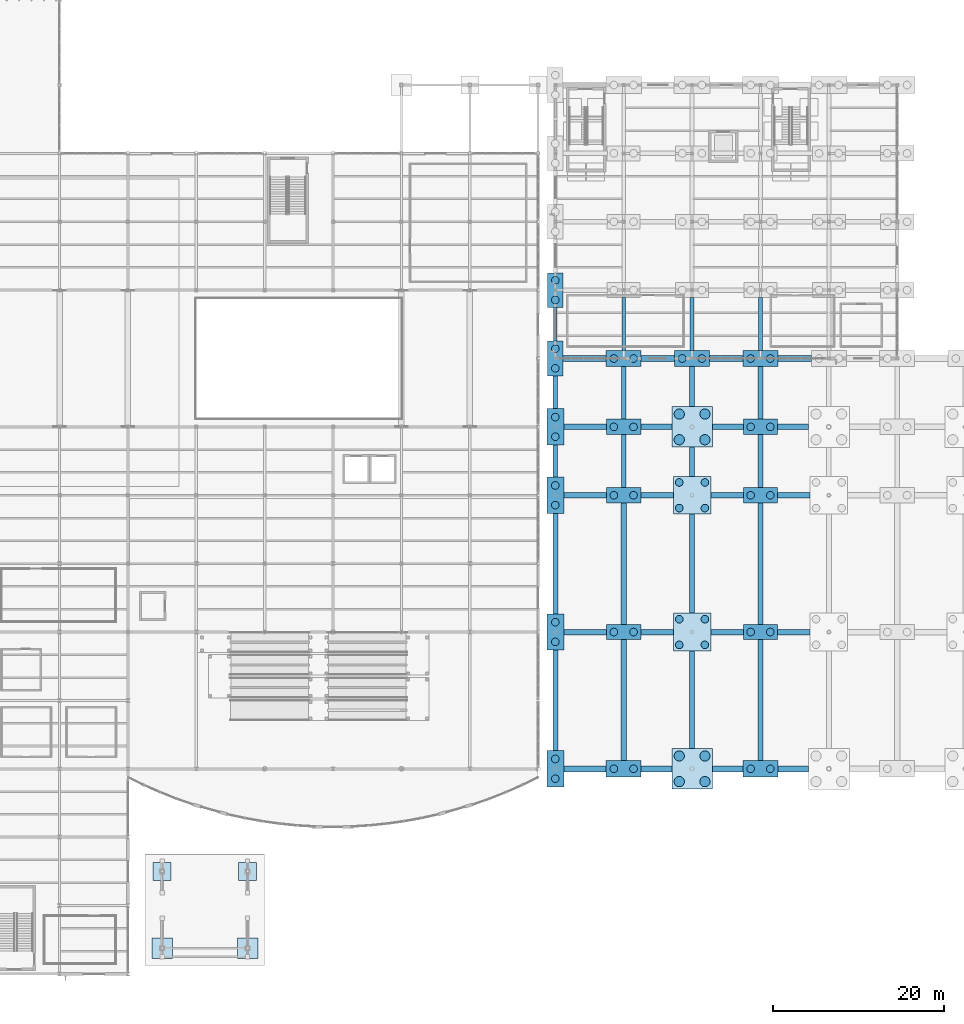
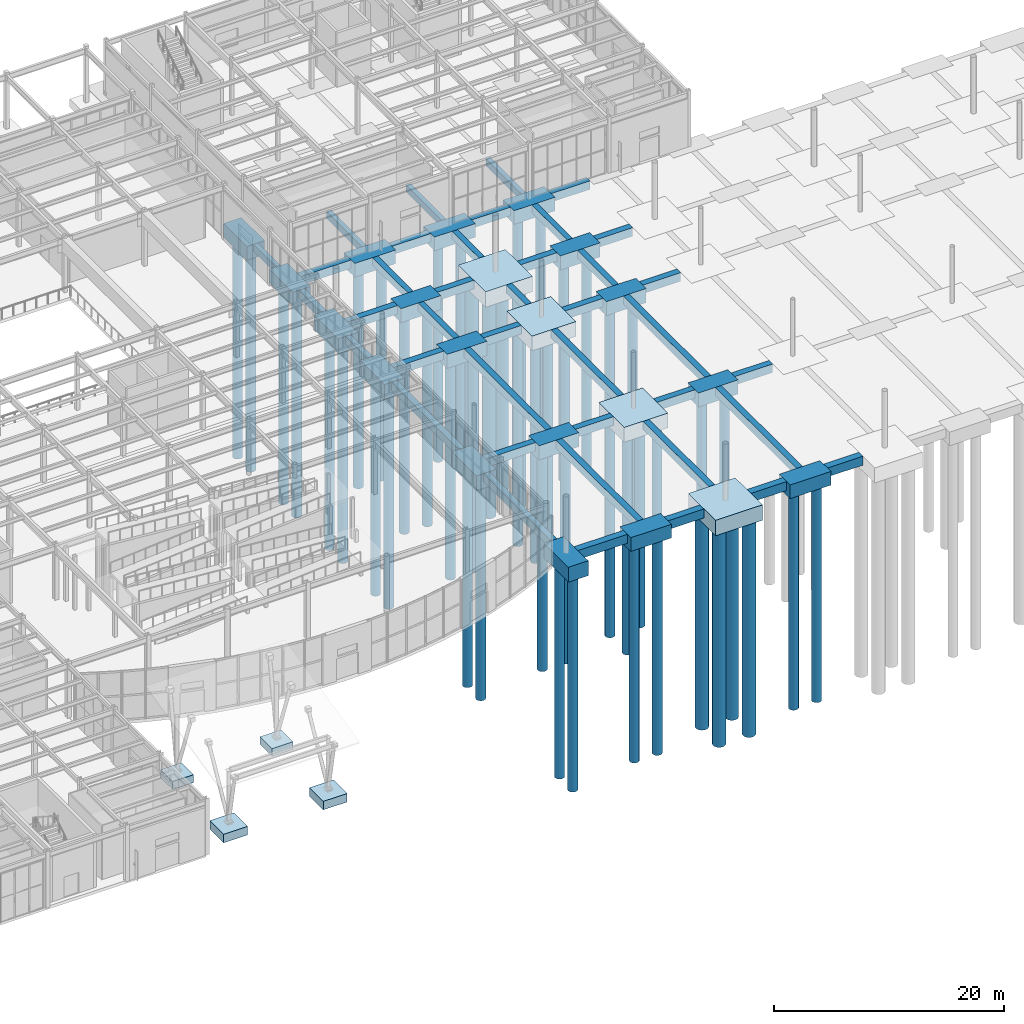
# One storey, part 1 of 82: 65 footings, 50 piles.
"""IFC4 building model written with IfcOpenShell, lengths in metres."""

from ifc_helpers import new_model, si_unit, direction, frame, origin, origin_2d, place, context, subcontext, project, spatial, rectangle, circle, extrude, material, material_profile, profile_set, type_object, element, save


model = new_model("IFC4")

# Units and contexts
model_context = context("Model", 3, precision=1e-05, world=origin(), true_north=direction((0.0, 1.0)))
body_context = subcontext(model_context, "Body", "Model", "MODEL_VIEW")
ifc_project = project(units=[si_unit("LENGTHUNIT", "METRE"), si_unit("AREAUNIT", "SQUARE_METRE"), si_unit("VOLUMEUNIT", "CUBIC_METRE"), si_unit("PLANEANGLEUNIT", "RADIAN"), si_unit("MASSUNIT", "GRAM", prefix="KILO")], contexts=[model_context])

# Site, building, storey
site_placement = place(None, origin())
site = spatial("IfcSite", under=ifc_project, at=site_placement, CompositionType="ELEMENT")
building_placement = place(site_placement, origin())
building = spatial("IfcBuilding", under=site, at=building_placement, Name="Drelvath Fold Interchange", CompositionType="ELEMENT")
storey_placement = place(building_placement, origin())
storey = spatial("IfcBuildingStorey", under=building, at=storey_placement, Name="L00", CompositionType="ELEMENT", Elevation=0.0)

# Piles
ifc_material_1 = material(Name="Concrete f'c 55 MPa (8000 psi)", Category="concrete")
ifc_material_profile_1 = material_profile(ifc_material_1, circle(Radius=0.60009765625, at=origin_2d()), Name="CAISSON D1200")
ifc_profile_set_1 = profile_set([ifc_material_profile_1], Name="Concrete f'c 55 MPa (8000 psi)")
pile_type_1 = type_object("IfcPileType", Name="CA-D1200", PredefinedType="BORED", material=ifc_profile_set_1)
for number, where, z_axis, x_axis, name in (
    (1, (116.5, 25.5, -1.5400390625), (0.0, 0.0, -1.0), (1.0, 0.0, 0.0), "L00 rock-socketed caisson PL-L00-200"),
    (2, (119.5, 25.5, -1.5400390625), (0.0, 0.0, -1.0), (1.0, 0.0, 0.0), "L00 rock-socketed caisson PL-L00-201"),
    (3, (119.5, 28.5, -1.5400390625), (0.0, 0.0, -1.0), (1.0, 0.0, 0.0), "L00 rock-socketed caisson PL-L00-202"),
    (4, (116.5, 28.5, -1.5400390625), (0.0, 0.0, -1.0), (1.0, 0.0, 0.0), "L00 rock-socketed caisson PL-L00-203"),
    (5, (116.5, 65.5, -1.5400390625), (0.0, 0.0, -1.0), (1.0, 0.0, 0.0), "L00 rock-socketed caisson PL-L00-212"),
    (6, (119.5, 65.5, -1.5400390625), (0.0, 0.0, -1.0), (1.0, 0.0, 0.0), "L00 rock-socketed caisson PL-L00-213"),
    (7, (119.5, 68.5, -1.5400390625), (0.0, 0.0, -1.0), (1.0, 0.0, 0.0), "L00 rock-socketed caisson PL-L00-214"),
    (8, (116.5, 68.5, -1.5400390625), (0.0, 0.0, -1.0), (1.0, 0.0, 0.0), "L00 rock-socketed caisson PL-L00-215"),
):
    element("IfcPile", number, at=place(storey_placement, frame(where, z_axis=z_axis, x_axis=x_axis)), inside=storey, type_object=pile_type_1, Name=name, PredefinedType="BORED", context=body_context, shape_type="SweptSolid", body=[
        extrude(circle(Radius=0.60009765625, at=origin_2d()), origin(), (0.0, 0.0, 1.0), 22.9599609375),
    ])
ifc_material_profile_2 = material_profile(ifc_material_1, circle(Radius=0.449951171875, at=origin_2d()), Name="CAISSON D900")
ifc_profile_set_2 = profile_set([ifc_material_profile_2], Name="Concrete f'c 55 MPa (8000 psi)")
pile_type_2 = type_object("IfcPileType", Name="CA-D900", PredefinedType="BORED", material=ifc_profile_set_2)
for number, where, z_axis, x_axis, name in (
    (9, (102.0, 25.85009765625, -1.47998046875), (0.0, 0.0, -1.0), (1.0, 0.0, 0.0), "L00 rock-socketed caisson PL-L00-164"),
    (10, (102.0, 28.14990234375, -1.47998046875), (0.0, 0.0, -1.0), (1.0, 0.0, 0.0), "L00 rock-socketed caisson PL-L00-165"),
    (11, (102.0, 41.85009765625, -1.47998046875), (0.0, 0.0, -1.0), (1.0, 0.0, 0.0), "L00 rock-socketed caisson PL-L00-166"),
    (12, (102.0, 44.14990234375, -1.47998046875), (0.0, 0.0, -1.0), (1.0, 0.0, 0.0), "L00 rock-socketed caisson PL-L00-167"),
    (13, (102.0, 57.85009765625, -1.47998046875), (0.0, 0.0, -1.0), (1.0, 0.0, 0.0), "L00 rock-socketed caisson PL-L00-168"),
    (14, (102.0, 60.14990234375, -1.47998046875), (0.0, 0.0, -1.0), (1.0, 0.0, 0.0), "L00 rock-socketed caisson PL-L00-169"),
    (15, (102.0, 65.85009765625, -1.47998046875), (0.0, 0.0, -1.0), (1.0, 0.0, 0.0), "L00 rock-socketed caisson PL-L00-170"),
    (16, (102.0, 68.14990234375, -1.47998046875), (0.0, 0.0, -1.0), (1.0, 0.0, 0.0), "L00 rock-socketed caisson PL-L00-171"),
):
    element("IfcPile", number, at=place(storey_placement, frame(where, z_axis=z_axis, x_axis=x_axis)), inside=storey, type_object=pile_type_2, Name=name, PredefinedType="BORED", context=body_context, shape_type="SweptSolid", body=[
        extrude(circle(Radius=0.449951171875, at=origin_2d()), origin(), (0.0, 0.0, 1.0), 23.02001953125),
    ])
for number, where, z_axis, x_axis, name in (
    (17, (102.0, 73.85009765625, -1.3798828125), (0.0, 0.0, -1.0), (1.0, 0.0, 0.0), "L00 rock-socketed caisson PL-L00-172"),
    (18, (102.0, 76.14990234375, -1.3798828125), (0.0, 0.0, -1.0), (1.0, 0.0, 0.0), "L00 rock-socketed caisson PL-L00-173"),
    (19, (102.0, 81.85009765625, -1.3798828125), (0.0, 0.0, -1.0), (1.0, 0.0, 0.0), "L00 rock-socketed caisson PL-L00-174"),
    (20, (102.0, 84.14990234375, -1.3798828125), (0.0, 0.0, -1.0), (1.0, 0.0, 0.0), "L00 rock-socketed caisson PL-L00-175"),
):
    element("IfcPile", number, at=place(storey_placement, frame(where, z_axis=z_axis, x_axis=x_axis)), inside=storey, type_object=pile_type_2, Name=name, PredefinedType="BORED", context=body_context, shape_type="SweptSolid", body=[
        extrude(circle(Radius=0.449951171875, at=origin_2d()), origin(), (0.0, 0.0, 1.0), 23.1201171875),
    ])
for number, where, z_axis, x_axis, name in (
    (21, (108.85009765625, 27.0, -1.360107421875), (0.0, 0.0, -1.0), (1.0, 0.0, 0.0), "L00 rock-socketed caisson PL-L00-182"),
    (22, (111.14990234375, 27.0, -1.360107421875), (0.0, 0.0, -1.0), (1.0, 0.0, 0.0), "L00 rock-socketed caisson PL-L00-183"),
):
    element("IfcPile", number, at=place(storey_placement, frame(where, z_axis=z_axis, x_axis=x_axis)), inside=storey, type_object=pile_type_2, Name=name, PredefinedType="BORED", context=body_context, shape_type="SweptSolid", body=[
        extrude(circle(Radius=0.449951171875, at=origin_2d()), origin(), (0.0, 0.0, 1.0), 23.139892578125),
    ])
for number, where, z_axis, x_axis, name in (
    (23, (108.85009765625, 43.0, -1.39990234375), (0.0, 0.0, -1.0), (1.0, 0.0, 0.0), "L00 rock-socketed caisson PL-L00-184"),
    (24, (111.14990234375, 43.0, -1.39990234375), (0.0, 0.0, -1.0), (1.0, 0.0, 0.0), "L00 rock-socketed caisson PL-L00-185"),
    (25, (108.85009765625, 59.0, -1.39990234375), (0.0, 0.0, -1.0), (1.0, 0.0, 0.0), "L00 rock-socketed caisson PL-L00-186"),
    (26, (111.14990234375, 59.0, -1.39990234375), (0.0, 0.0, -1.0), (1.0, 0.0, 0.0), "L00 rock-socketed caisson PL-L00-187"),
    (27, (108.85009765625, 67.0, -1.39990234375), (0.0, 0.0, -1.0), (1.0, 0.0, 0.0), "L00 rock-socketed caisson PL-L00-188"),
    (28, (111.14990234375, 67.0, -1.39990234375), (0.0, 0.0, -1.0), (1.0, 0.0, 0.0), "L00 rock-socketed caisson PL-L00-189"),
):
    element("IfcPile", number, at=place(storey_placement, frame(where, z_axis=z_axis, x_axis=x_axis)), inside=storey, type_object=pile_type_2, Name=name, PredefinedType="BORED", context=body_context, shape_type="SweptSolid", body=[
        extrude(circle(Radius=0.449951171875, at=origin_2d()), origin(), (0.0, 0.0, 1.0), 23.10009765625),
    ])
for number, where, z_axis, x_axis, name in (
    (29, (108.85009765625, 75.0, -1.360107421875), (0.0, 0.0, -1.0), (1.0, 0.0, 0.0), "L00 rock-socketed caisson PL-L00-190"),
    (30, (111.14990234375, 75.0, -1.360107421875), (0.0, 0.0, -1.0), (1.0, 0.0, 0.0), "L00 rock-socketed caisson PL-L00-191"),
):
    element("IfcPile", number, at=place(storey_placement, frame(where, z_axis=z_axis, x_axis=x_axis)), inside=storey, type_object=pile_type_2, Name=name, PredefinedType="BORED", context=body_context, shape_type="SweptSolid", body=[
        extrude(circle(Radius=0.449951171875, at=origin_2d()), origin(), (0.0, 0.0, 1.0), 23.139892578125),
    ])
for number, where, z_axis, x_axis, name in (
    (31, (116.5, 41.5, -1.4599609375), (0.0, 0.0, -1.0), (1.0, 0.0, 0.0), "L00 rock-socketed caisson PL-L00-204"),
    (32, (119.5, 41.5, -1.4599609375), (0.0, 0.0, -1.0), (1.0, 0.0, 0.0), "L00 rock-socketed caisson PL-L00-205"),
    (33, (119.5, 44.5, -1.4599609375), (0.0, 0.0, -1.0), (1.0, 0.0, 0.0), "L00 rock-socketed caisson PL-L00-206"),
    (34, (116.5, 44.5, -1.4599609375), (0.0, 0.0, -1.0), (1.0, 0.0, 0.0), "L00 rock-socketed caisson PL-L00-207"),
    (35, (116.5, 57.5, -1.4599609375), (0.0, 0.0, -1.0), (1.0, 0.0, 0.0), "L00 rock-socketed caisson PL-L00-208"),
    (36, (119.5, 57.5, -1.4599609375), (0.0, 0.0, -1.0), (1.0, 0.0, 0.0), "L00 rock-socketed caisson PL-L00-209"),
    (37, (119.5, 60.5, -1.4599609375), (0.0, 0.0, -1.0), (1.0, 0.0, 0.0), "L00 rock-socketed caisson PL-L00-210"),
    (38, (116.5, 60.5, -1.4599609375), (0.0, 0.0, -1.0), (1.0, 0.0, 0.0), "L00 rock-socketed caisson PL-L00-211"),
):
    element("IfcPile", number, at=place(storey_placement, frame(where, z_axis=z_axis, x_axis=x_axis)), inside=storey, type_object=pile_type_2, Name=name, PredefinedType="BORED", context=body_context, shape_type="SweptSolid", body=[
        extrude(circle(Radius=0.449951171875, at=origin_2d()), origin(), (0.0, 0.0, 1.0), 23.0400390625),
    ])
for number, where, z_axis, x_axis, name in (
    (39, (116.85009765625, 75.0, -1.360107421875), (0.0, 0.0, -1.0), (1.0, 0.0, 0.0), "L00 rock-socketed caisson PL-L00-216"),
    (40, (119.14990234375, 75.0, -1.360107421875), (0.0, 0.0, -1.0), (1.0, 0.0, 0.0), "L00 rock-socketed caisson PL-L00-217"),
    (41, (124.85009765625, 27.0, -1.360107421875), (0.0, 0.0, -1.0), (1.0, 0.0, 0.0), "L00 rock-socketed caisson PL-L00-226"),
    (42, (127.14990234375, 27.0, -1.360107421875), (0.0, 0.0, -1.0), (1.0, 0.0, 0.0), "L00 rock-socketed caisson PL-L00-227"),
):
    element("IfcPile", number, at=place(storey_placement, frame(where, z_axis=z_axis, x_axis=x_axis)), inside=storey, type_object=pile_type_2, Name=name, PredefinedType="BORED", context=body_context, shape_type="SweptSolid", body=[
        extrude(circle(Radius=0.449951171875, at=origin_2d()), origin(), (0.0, 0.0, 1.0), 23.139892578125),
    ])
for number, where, z_axis, x_axis, name in (
    (43, (124.85009765625, 43.0, -1.39990234375), (0.0, 0.0, -1.0), (1.0, 0.0, 0.0), "L00 rock-socketed caisson PL-L00-228"),
    (44, (127.14990234375, 43.0, -1.39990234375), (0.0, 0.0, -1.0), (1.0, 0.0, 0.0), "L00 rock-socketed caisson PL-L00-229"),
    (45, (124.85009765625, 59.0, -1.39990234375), (0.0, 0.0, -1.0), (1.0, 0.0, 0.0), "L00 rock-socketed caisson PL-L00-230"),
    (46, (127.14990234375, 59.0, -1.39990234375), (0.0, 0.0, -1.0), (1.0, 0.0, 0.0), "L00 rock-socketed caisson PL-L00-231"),
    (47, (124.85009765625, 67.0, -1.39990234375), (0.0, 0.0, -1.0), (1.0, 0.0, 0.0), "L00 rock-socketed caisson PL-L00-232"),
    (48, (127.14990234375, 67.0, -1.39990234375), (0.0, 0.0, -1.0), (1.0, 0.0, 0.0), "L00 rock-socketed caisson PL-L00-233"),
):
    element("IfcPile", number, at=place(storey_placement, frame(where, z_axis=z_axis, x_axis=x_axis)), inside=storey, type_object=pile_type_2, Name=name, PredefinedType="BORED", context=body_context, shape_type="SweptSolid", body=[
        extrude(circle(Radius=0.449951171875, at=origin_2d()), origin(), (0.0, 0.0, 1.0), 23.10009765625),
    ])
for number, where, z_axis, x_axis, name in (
    (49, (124.85009765625, 75.0, -1.360107421875), (0.0, 0.0, -1.0), (1.0, 0.0, 0.0), "L00 rock-socketed caisson PL-L00-234"),
    (50, (127.14990234375, 75.0, -1.360107421875), (0.0, 0.0, -1.0), (1.0, 0.0, 0.0), "L00 rock-socketed caisson PL-L00-235"),
):
    element("IfcPile", number, at=place(storey_placement, frame(where, z_axis=z_axis, x_axis=x_axis)), inside=storey, type_object=pile_type_2, Name=name, PredefinedType="BORED", context=body_context, shape_type="SweptSolid", body=[
        extrude(circle(Radius=0.449951171875, at=origin_2d()), origin(), (0.0, 0.0, 1.0), 23.139892578125),
    ])

# Footings
ifc_material_2 = material(Name="Concrete f'c 45 MPa (6500 psi)", Category="concrete")
footing_type_1 = type_object("IfcFootingType", Name="GB-450x740", PredefinedType="FOOTING_BEAM", material=ifc_material_2)
footing_1_placement = place(storey_placement, frame((102.0, 79.0, -0.740234375), z_axis=(0.0, 0.0, 1.0), x_axis=(1.0, 0.0, 0.0)))
element("IfcFooting", 51, at=footing_1_placement, inside=storey, type_object=footing_type_1, Name="Continuous grade beam FT-GBY-070", PredefinedType="FOOTING_BEAM", context=body_context, shape_type="SweptSolid", body=[
    extrude(rectangle(XDim=0.449951171875, YDim=3.949951171875, at=origin_2d()), origin(), (0.0, 0.0, 1.0), 0.739990234375),
])
for number, where, z_axis, x_axis, name in (
    (52, (110.0, 79.037109375, -0.740234375), (0.0, 0.0, 1.0), (1.0, 0.0, 0.0), "Continuous grade beam FT-GBY-078"),
    (53, (118.0, 79.037109375, -0.740234375), (0.0, 0.0, 1.0), (1.0, 0.0, 0.0), "Continuous grade beam FT-GBY-086"),
    (54, (126.0, 79.037109375, -0.740234375), (0.0, 0.0, 1.0), (1.0, 0.0, 0.0), "Continuous grade beam FT-GBY-094"),
):
    element("IfcFooting", number, at=place(storey_placement, frame(where, z_axis=z_axis, x_axis=x_axis)), inside=storey, type_object=footing_type_1, Name=name, PredefinedType="FOOTING_BEAM", context=body_context, shape_type="SweptSolid", body=[
        extrude(rectangle(XDim=0.449951171875, YDim=6.175048828125, at=origin_2d()), origin(), (0.0, 0.0, 1.0), 0.739990234375),
    ])
footing_type_2 = type_object("IfcFootingType", Name="GB-550x820", PredefinedType="FOOTING_BEAM", material=ifc_material_2)
footing_2_placement = place(storey_placement, frame((102.0, 63.0, -0.81982421875), z_axis=(0.0, 0.0, 1.0), x_axis=(1.0, 0.0, 0.0)))
element("IfcFooting", 55, at=footing_2_placement, inside=storey, type_object=footing_type_2, Name="Continuous grade beam FT-GBY-068", PredefinedType="FOOTING_BEAM", context=body_context, shape_type="SweptSolid", body=[
    extrude(rectangle(XDim=0.550048828125, YDim=3.75, at=origin_2d()), origin(), (0.0, 0.0, 1.0), 0.820068359375),
])
footing_3_placement = place(storey_placement, frame((102.0, 71.050048828125, -0.81982421875), z_axis=(0.0, 0.0, 1.0), x_axis=(1.0, 0.0, 0.0)))
element("IfcFooting", 56, at=footing_3_placement, inside=storey, type_object=footing_type_2, Name="Continuous grade beam FT-GBY-069", PredefinedType="FOOTING_BEAM", context=body_context, shape_type="SweptSolid", body=[
    extrude(rectangle(XDim=0.550048828125, YDim=3.85009765625, at=origin_2d()), origin(), (0.0, 0.0, 1.0), 0.820068359375),
])
footing_4_placement = place(storey_placement, frame((110.0, 63.0, -0.81982421875), z_axis=(0.0, 0.0, 1.0), x_axis=(1.0, 0.0, 0.0)))
element("IfcFooting", 57, at=footing_4_placement, inside=storey, type_object=footing_type_2, Name="Continuous grade beam FT-GBY-076", PredefinedType="FOOTING_BEAM", context=body_context, shape_type="SweptSolid", body=[
    extrude(rectangle(XDim=0.550048828125, YDim=6.199951171875, at=origin_2d()), origin(), (0.0, 0.0, 1.0), 0.820068359375),
])
footing_5_placement = place(storey_placement, frame((110.0, 70.97509765625, -0.81982421875), z_axis=(0.0, 0.0, 1.0), x_axis=(1.0, 0.0, 0.0)))
element("IfcFooting", 58, at=footing_5_placement, inside=storey, type_object=footing_type_2, Name="Continuous grade beam FT-GBY-077", PredefinedType="FOOTING_BEAM", context=body_context, shape_type="SweptSolid", body=[
    extrude(rectangle(XDim=0.550048828125, YDim=6.14990234375, at=origin_2d()), origin(), (0.0, 0.0, 1.0), 0.820068359375),
])
footing_6_placement = place(storey_placement, frame((118.0, 62.919921875, -0.81982421875), z_axis=(0.0, 0.0, 1.0), x_axis=(1.0, 0.0, 0.0)))
element("IfcFooting", 59, at=footing_6_placement, inside=storey, type_object=footing_type_2, Name="Continuous grade beam FT-GBY-084", PredefinedType="FOOTING_BEAM", context=body_context, shape_type="SweptSolid", body=[
    extrude(rectangle(XDim=0.550048828125, YDim=3.43994140625, at=origin_2d()), origin(), (0.0, 0.0, 1.0), 0.820068359375),
])
footing_7_placement = place(storey_placement, frame((118.0, 71.705078125, -0.81982421875), z_axis=(0.0, 0.0, 1.0), x_axis=(1.0, 0.0, 0.0)))
element("IfcFooting", 60, at=footing_7_placement, inside=storey, type_object=footing_type_2, Name="Continuous grade beam FT-GBY-085", PredefinedType="FOOTING_BEAM", context=body_context, shape_type="SweptSolid", body=[
    extrude(rectangle(XDim=0.550048828125, YDim=4.68994140625, at=origin_2d()), origin(), (0.0, 0.0, 1.0), 0.820068359375),
])
footing_8_placement = place(storey_placement, frame((126.0, 63.0, -0.81982421875), z_axis=(0.0, 0.0, 1.0), x_axis=(1.0, 0.0, 0.0)))
element("IfcFooting", 61, at=footing_8_placement, inside=storey, type_object=footing_type_2, Name="Continuous grade beam FT-GBY-092", PredefinedType="FOOTING_BEAM", context=body_context, shape_type="SweptSolid", body=[
    extrude(rectangle(XDim=0.550048828125, YDim=6.199951171875, at=origin_2d()), origin(), (0.0, 0.0, 1.0), 0.820068359375),
])
footing_9_placement = place(storey_placement, frame((126.0, 70.97509765625, -0.81982421875), z_axis=(0.0, 0.0, 1.0), x_axis=(1.0, 0.0, 0.0)))
element("IfcFooting", 62, at=footing_9_placement, inside=storey, type_object=footing_type_2, Name="Continuous grade beam FT-GBY-093", PredefinedType="FOOTING_BEAM", context=body_context, shape_type="SweptSolid", body=[
    extrude(rectangle(XDim=0.550048828125, YDim=6.14990234375, at=origin_2d()), origin(), (0.0, 0.0, 1.0), 0.820068359375),
])
footing_type_3 = type_object("IfcFootingType", Name="GB-600x860", PredefinedType="FOOTING_BEAM", material=ifc_material_2)
for number, where, z_axis, x_axis, name in (
    (63, (102.0, 35.0, -0.85986328125), (0.0, 0.0, 1.0), (1.0, 0.0, 0.0), "Continuous grade beam FT-GBY-066"),
    (64, (102.0, 51.0, -0.85986328125), (0.0, 0.0, 1.0), (1.0, 0.0, 0.0), "Continuous grade beam FT-GBY-067"),
):
    element("IfcFooting", number, at=place(storey_placement, frame(where, z_axis=z_axis, x_axis=x_axis)), inside=storey, type_object=footing_type_3, Name=name, PredefinedType="FOOTING_BEAM", context=body_context, shape_type="SweptSolid", body=[
        extrude(rectangle(XDim=0.60009765625, YDim=11.75, at=origin_2d()), origin(), (0.0, 0.0, 1.0), 0.860107421875),
    ])
footing_10_placement = place(storey_placement, frame((110.0, 35.02490234375, -0.85986328125), z_axis=(0.0, 0.0, 1.0), x_axis=(1.0, 0.0, 0.0)))
element("IfcFooting", 65, at=footing_10_placement, inside=storey, type_object=footing_type_3, Name="Continuous grade beam FT-GBY-074", PredefinedType="FOOTING_BEAM", context=body_context, shape_type="SweptSolid", body=[
    extrude(rectangle(XDim=0.60009765625, YDim=14.14990234375, at=origin_2d()), origin(), (0.0, 0.0, 1.0), 0.860107421875),
])
footing_11_placement = place(storey_placement, frame((110.0, 51.0, -0.85986328125), z_axis=(0.0, 0.0, 1.0), x_axis=(1.0, 0.0, 0.0)))
element("IfcFooting", 66, at=footing_11_placement, inside=storey, type_object=footing_type_3, Name="Continuous grade beam FT-GBY-075", PredefinedType="FOOTING_BEAM", context=body_context, shape_type="SweptSolid", body=[
    extrude(rectangle(XDim=0.60009765625, YDim=14.199951171875, at=origin_2d()), origin(), (0.0, 0.0, 1.0), 0.860107421875),
])
footing_12_placement = place(storey_placement, frame((118.0, 35.080078125, -0.85986328125), z_axis=(0.0, 0.0, 1.0), x_axis=(1.0, 0.0, 0.0)))
element("IfcFooting", 67, at=footing_12_placement, inside=storey, type_object=footing_type_3, Name="Continuous grade beam FT-GBY-082", PredefinedType="FOOTING_BEAM", context=body_context, shape_type="SweptSolid", body=[
    extrude(rectangle(XDim=0.60009765625, YDim=11.43994140625, at=origin_2d()), origin(), (0.0, 0.0, 1.0), 0.860107421875),
])
footing_13_placement = place(storey_placement, frame((118.0, 51.0, -0.85986328125), z_axis=(0.0, 0.0, 1.0), x_axis=(1.0, 0.0, 0.0)))
element("IfcFooting", 68, at=footing_13_placement, inside=storey, type_object=footing_type_3, Name="Continuous grade beam FT-GBY-083", PredefinedType="FOOTING_BEAM", context=body_context, shape_type="SweptSolid", body=[
    extrude(rectangle(XDim=0.60009765625, YDim=11.60009765625, at=origin_2d()), origin(), (0.0, 0.0, 1.0), 0.860107421875),
])
footing_14_placement = place(storey_placement, frame((126.0, 35.02490234375, -0.85986328125), z_axis=(0.0, 0.0, 1.0), x_axis=(1.0, 0.0, 0.0)))
element("IfcFooting", 69, at=footing_14_placement, inside=storey, type_object=footing_type_3, Name="Continuous grade beam FT-GBY-090", PredefinedType="FOOTING_BEAM", context=body_context, shape_type="SweptSolid", body=[
    extrude(rectangle(XDim=0.60009765625, YDim=14.14990234375, at=origin_2d()), origin(), (0.0, 0.0, 1.0), 0.860107421875),
])
footing_15_placement = place(storey_placement, frame((126.0, 51.0, -0.85986328125), z_axis=(0.0, 0.0, 1.0), x_axis=(1.0, 0.0, 0.0)))
element("IfcFooting", 70, at=footing_15_placement, inside=storey, type_object=footing_type_3, Name="Continuous grade beam FT-GBY-091", PredefinedType="FOOTING_BEAM", context=body_context, shape_type="SweptSolid", body=[
    extrude(rectangle(XDim=0.60009765625, YDim=14.199951171875, at=origin_2d()), origin(), (0.0, 0.0, 1.0), 0.860107421875),
])
footing_type_4 = type_object("IfcFootingType", Name="GB-650x900", PredefinedType="FOOTING_BEAM", material=ifc_material_2)
footing_16_placement = place(storey_placement, frame((105.5, 43.0, -0.89990234375), z_axis=(0.0, 0.0, 1.0), x_axis=(1.0, 0.0, 0.0)))
element("IfcFooting", 71, at=footing_16_placement, inside=storey, type_object=footing_type_4, Name="Continuous grade beam FT-GBX-010", PredefinedType="FOOTING_BEAM", context=body_context, shape_type="SweptSolid", body=[
    extrude(rectangle(XDim=5.0, YDim=0.64990234375, at=origin_2d()), origin(), (0.0, 0.0, 1.0), 0.89990234375),
])
for number, where, z_axis, x_axis, name in (
    (72, (113.89990234375, 43.0, -0.89990234375), (0.0, 0.0, 1.0), (1.0, 0.0, 0.0), "Continuous grade beam FT-GBX-011"),
    (73, (122.10009765625, 43.0, -0.89990234375), (0.0, 0.0, 1.0), (1.0, 0.0, 0.0), "Continuous grade beam FT-GBX-012"),
    (74, (129.89990234375, 43.0, -0.89990234375), (0.0, 0.0, 1.0), (1.0, 0.0, 0.0), "Continuous grade beam FT-GBX-013"),
):
    element("IfcFooting", number, at=place(storey_placement, frame(where, z_axis=z_axis, x_axis=x_axis)), inside=storey, type_object=footing_type_4, Name=name, PredefinedType="FOOTING_BEAM", context=body_context, shape_type="SweptSolid", body=[
        extrude(rectangle(XDim=3.800048828125, YDim=0.64990234375, at=origin_2d()), origin(), (0.0, 0.0, 1.0), 0.89990234375),
    ])
footing_17_placement = place(storey_placement, frame((105.5, 59.0, -0.89990234375), z_axis=(0.0, 0.0, 1.0), x_axis=(1.0, 0.0, 0.0)))
element("IfcFooting", 75, at=footing_17_placement, inside=storey, type_object=footing_type_4, Name="Continuous grade beam FT-GBX-019", PredefinedType="FOOTING_BEAM", context=body_context, shape_type="SweptSolid", body=[
    extrude(rectangle(XDim=5.0, YDim=0.64990234375, at=origin_2d()), origin(), (0.0, 0.0, 1.0), 0.89990234375),
])
for number, where, z_axis, x_axis, name in (
    (76, (113.89990234375, 59.0, -0.89990234375), (0.0, 0.0, 1.0), (1.0, 0.0, 0.0), "Continuous grade beam FT-GBX-020"),
    (77, (122.10009765625, 59.0, -0.89990234375), (0.0, 0.0, 1.0), (1.0, 0.0, 0.0), "Continuous grade beam FT-GBX-021"),
    (78, (129.89990234375, 59.0, -0.89990234375), (0.0, 0.0, 1.0), (1.0, 0.0, 0.0), "Continuous grade beam FT-GBX-022"),
):
    element("IfcFooting", number, at=place(storey_placement, frame(where, z_axis=z_axis, x_axis=x_axis)), inside=storey, type_object=footing_type_4, Name=name, PredefinedType="FOOTING_BEAM", context=body_context, shape_type="SweptSolid", body=[
        extrude(rectangle(XDim=3.800048828125, YDim=0.64990234375, at=origin_2d()), origin(), (0.0, 0.0, 1.0), 0.89990234375),
    ])
footing_18_placement = place(storey_placement, frame((105.5, 67.0, -0.89990234375), z_axis=(0.0, 0.0, 1.0), x_axis=(1.0, 0.0, 0.0)))
element("IfcFooting", 79, at=footing_18_placement, inside=storey, type_object=footing_type_4, Name="Continuous grade beam FT-GBX-028", PredefinedType="FOOTING_BEAM", context=body_context, shape_type="SweptSolid", body=[
    extrude(rectangle(XDim=5.0, YDim=0.64990234375, at=origin_2d()), origin(), (0.0, 0.0, 1.0), 0.89990234375),
])
for number, where, z_axis, x_axis, name in (
    (80, (113.820068359375, 67.0, -0.89990234375), (0.0, 0.0, 1.0), (1.0, 0.0, 0.0), "Continuous grade beam FT-GBX-029"),
    (81, (122.179931640625, 67.0, -0.89990234375), (0.0, 0.0, 1.0), (1.0, 0.0, 0.0), "Continuous grade beam FT-GBX-030"),
):
    element("IfcFooting", number, at=place(storey_placement, frame(where, z_axis=z_axis, x_axis=x_axis)), inside=storey, type_object=footing_type_4, Name=name, PredefinedType="FOOTING_BEAM", context=body_context, shape_type="SweptSolid", body=[
        extrude(rectangle(XDim=3.639892578125, YDim=0.64990234375, at=origin_2d()), origin(), (0.0, 0.0, 1.0), 0.89990234375),
    ])
footing_19_placement = place(storey_placement, frame((129.800048828125, 67.0, -0.89990234375), z_axis=(0.0, 0.0, 1.0), x_axis=(1.0, 0.0, 0.0)))
element("IfcFooting", 82, at=footing_19_placement, inside=storey, type_object=footing_type_4, Name="Continuous grade beam FT-GBX-031", PredefinedType="FOOTING_BEAM", context=body_context, shape_type="SweptSolid", body=[
    extrude(rectangle(XDim=3.60009765625, YDim=0.64990234375, at=origin_2d()), origin(), (0.0, 0.0, 1.0), 0.89990234375),
])
footing_20_placement = place(storey_placement, frame((105.425048828125, 75.0, -0.89990234375), z_axis=(0.0, 0.0, 1.0), x_axis=(1.0, 0.0, 0.0)))
element("IfcFooting", 83, at=footing_20_placement, inside=storey, type_object=footing_type_4, Name="Continuous grade beam FT-GBX-037", PredefinedType="FOOTING_BEAM", context=body_context, shape_type="SweptSolid", body=[
    extrude(rectangle(XDim=5.050048828125, YDim=0.64990234375, at=origin_2d()), origin(), (0.0, 0.0, 1.0), 0.89990234375),
])
for number, where, z_axis, x_axis, name in (
    (84, (114.0, 75.0, -0.89990234375), (0.0, 0.0, 1.0), (1.0, 0.0, 0.0), "Continuous grade beam FT-GBX-038"),
    (85, (122.0, 75.0, -0.89990234375), (0.0, 0.0, 1.0), (1.0, 0.0, 0.0), "Continuous grade beam FT-GBX-039"),
    (86, (130.0, 75.0, -0.89990234375), (0.0, 0.0, 1.0), (1.0, 0.0, 0.0), "Continuous grade beam FT-GBX-040"),
):
    element("IfcFooting", number, at=place(storey_placement, frame(where, z_axis=z_axis, x_axis=x_axis)), inside=storey, type_object=footing_type_4, Name=name, PredefinedType="FOOTING_BEAM", context=body_context, shape_type="SweptSolid", body=[
        extrude(rectangle(XDim=3.89990234375, YDim=0.64990234375, at=origin_2d()), origin(), (0.0, 0.0, 1.0), 0.89990234375),
    ])
footing_type_5 = type_object("IfcFootingType", Name="GB-700x950", PredefinedType="FOOTING_BEAM", material=ifc_material_2)
footing_21_placement = place(storey_placement, frame((105.47509765625, 27.0, -0.9501953125), z_axis=(0.0, 0.0, 1.0), x_axis=(1.0, 0.0, 0.0)))
element("IfcFooting", 87, at=footing_21_placement, inside=storey, type_object=footing_type_5, Name="Continuous grade beam FT-GBX-001", PredefinedType="FOOTING_BEAM", context=body_context, shape_type="SweptSolid", body=[
    extrude(rectangle(XDim=4.949951171875, YDim=0.699951171875, at=origin_2d()), origin(), (0.0, 0.0, 1.0), 0.949951171875),
])
for number, where, z_axis, x_axis, name in (
    (88, (113.844970703125, 27.0, -0.9501953125), (0.0, 0.0, 1.0), (1.0, 0.0, 0.0), "Continuous grade beam FT-GBX-002"),
    (89, (122.155029296875, 27.0, -0.9501953125), (0.0, 0.0, 1.0), (1.0, 0.0, 0.0), "Continuous grade beam FT-GBX-003"),
):
    element("IfcFooting", number, at=place(storey_placement, frame(where, z_axis=z_axis, x_axis=x_axis)), inside=storey, type_object=footing_type_5, Name=name, PredefinedType="FOOTING_BEAM", context=body_context, shape_type="SweptSolid", body=[
        extrude(rectangle(XDim=3.590087890625, YDim=0.699951171875, at=origin_2d()), origin(), (0.0, 0.0, 1.0), 0.949951171875),
    ])
footing_22_placement = place(storey_placement, frame((129.824951171875, 27.0, -0.9501953125), z_axis=(0.0, 0.0, 1.0), x_axis=(1.0, 0.0, 0.0)))
element("IfcFooting", 90, at=footing_22_placement, inside=storey, type_object=footing_type_5, Name="Continuous grade beam FT-GBX-004", PredefinedType="FOOTING_BEAM", context=body_context, shape_type="SweptSolid", body=[
    extrude(rectangle(XDim=3.550048828125, YDim=0.699951171875, at=origin_2d()), origin(), (0.0, 0.0, 1.0), 0.949951171875),
])
footing_type_6 = type_object("IfcFootingType", Name="PC-01", PredefinedType="PILE_CAP", material=ifc_material_2)
for number, where, z_axis, x_axis, name in (
    (91, (110.0, 43.0, -1.5), (0.0, 0.0, 1.0), (1.0, 0.0, 0.0), "Pile cap FT-CAP-011 (PC-01)"),
    (92, (110.0, 59.0, -1.5), (0.0, 0.0, 1.0), (1.0, 0.0, 0.0), "Pile cap FT-CAP-012 (PC-01)"),
    (93, (110.0, 67.0, -1.5), (0.0, 0.0, 1.0), (1.0, 0.0, 0.0), "Pile cap FT-CAP-013 (PC-01)"),
    (94, (126.0, 43.0, -1.5), (0.0, 0.0, 1.0), (1.0, 0.0, 0.0), "Pile cap FT-CAP-029 (PC-01)"),
    (95, (126.0, 59.0, -1.5), (0.0, 0.0, 1.0), (1.0, 0.0, 0.0), "Pile cap FT-CAP-030 (PC-01)"),
    (96, (126.0, 67.0, -1.5), (0.0, 0.0, 1.0), (1.0, 0.0, 0.0), "Pile cap FT-CAP-031 (PC-01)"),
):
    element("IfcFooting", number, at=place(storey_placement, frame(where, z_axis=z_axis, x_axis=x_axis)), inside=storey, type_object=footing_type_6, Name=name, PredefinedType="PILE_CAP", context=body_context, shape_type="SweptSolid", body=[
        extrude(rectangle(XDim=4.0, YDim=1.800048828125, at=origin_2d()), origin(), (0.0, 0.0, 1.0), 1.5),
    ])
footing_type_7 = type_object("IfcFootingType", Name="PC-04", PredefinedType="PILE_CAP", material=ifc_material_2)
for number, where, z_axis, x_axis, name in (
    (97, (118.0, 43.0, -1.56005859375), (0.0, 0.0, 1.0), (1.0, 0.0, 0.0), "Pile cap FT-CAP-020 (PC-04)"),
    (98, (118.0, 59.0, -1.56005859375), (0.0, 0.0, 1.0), (1.0, 0.0, 0.0), "Pile cap FT-CAP-021 (PC-04)"),
):
    element("IfcFooting", number, at=place(storey_placement, frame(where, z_axis=z_axis, x_axis=x_axis)), inside=storey, type_object=footing_type_7, Name=name, PredefinedType="PILE_CAP", context=body_context, shape_type="SweptSolid", body=[
        extrude(rectangle(XDim=4.39990234375, YDim=4.39990234375, at=origin_2d()), origin(), (0.0, 0.0, 1.0), 1.56005859375),
    ])
footing_type_8 = type_object("IfcFootingType", Name="PC-05", PredefinedType="PILE_CAP", material=ifc_material_2)
for number, where, z_axis, x_axis, name in (
    (99, (102.0, 75.0, -1.47998046875), (0.0, 0.0, 1.0), (1.0, 0.0, 0.0), "Pile cap FT-CAP-005 (PC-05)"),
    (100, (102.0, 83.0, -1.47998046875), (0.0, 0.0, 1.0), (1.0, 0.0, 0.0), "Pile cap FT-CAP-006 (PC-05)"),
):
    element("IfcFooting", number, at=place(storey_placement, frame(where, z_axis=z_axis, x_axis=x_axis)), inside=storey, type_object=footing_type_8, Name=name, PredefinedType="PILE_CAP", context=body_context, shape_type="SweptSolid", body=[
        extrude(rectangle(XDim=1.800048828125, YDim=4.050048828125, at=origin_2d()), origin(), (0.0, 0.0, 1.0), 1.47998046875),
    ])
footing_type_9 = type_object("IfcFootingType", Name="PC-06", PredefinedType="PILE_CAP", material=ifc_material_2)
for number, where, z_axis, x_axis, name in (
    (101, (102.0, 27.0, -1.580078125), (0.0, 0.0, 1.0), (1.0, 0.0, 0.0), "Pile cap FT-CAP-001 (PC-06)"),
    (102, (102.0, 43.0, -1.580078125), (0.0, 0.0, 1.0), (1.0, 0.0, 0.0), "Pile cap FT-CAP-002 (PC-06)"),
    (103, (102.0, 59.0, -1.580078125), (0.0, 0.0, 1.0), (1.0, 0.0, 0.0), "Pile cap FT-CAP-003 (PC-06)"),
    (104, (102.0, 67.0, -1.580078125), (0.0, 0.0, 1.0), (1.0, 0.0, 0.0), "Pile cap FT-CAP-004 (PC-06)"),
):
    element("IfcFooting", number, at=place(storey_placement, frame(where, z_axis=z_axis, x_axis=x_axis)), inside=storey, type_object=footing_type_9, Name=name, PredefinedType="PILE_CAP", context=body_context, shape_type="SweptSolid", body=[
        extrude(rectangle(XDim=2.0, YDim=4.25, at=origin_2d()), origin(), (0.0, 0.0, 1.0), 1.580078125),
    ])
footing_type_10 = type_object("IfcFootingType", Name="PC-08", PredefinedType="PILE_CAP", material=ifc_material_2)
for number, where, z_axis, x_axis, name in (
    (105, (110.0, 27.0, -1.4599609375), (0.0, 0.0, 1.0), (1.0, 0.0, 0.0), "Pile cap FT-CAP-010 (PC-08)"),
    (106, (110.0, 75.0, -1.4599609375), (0.0, 0.0, 1.0), (1.0, 0.0, 0.0), "Pile cap FT-CAP-014 (PC-08)"),
    (107, (118.0, 75.0, -1.4599609375), (0.0, 0.0, 1.0), (1.0, 0.0, 0.0), "Pile cap FT-CAP-023 (PC-08)"),
    (108, (126.0, 27.0, -1.4599609375), (0.0, 0.0, 1.0), (1.0, 0.0, 0.0), "Pile cap FT-CAP-028 (PC-08)"),
    (109, (126.0, 75.0, -1.4599609375), (0.0, 0.0, 1.0), (1.0, 0.0, 0.0), "Pile cap FT-CAP-032 (PC-08)"),
):
    element("IfcFooting", number, at=place(storey_placement, frame(where, z_axis=z_axis, x_axis=x_axis)), inside=storey, type_object=footing_type_10, Name=name, PredefinedType="PILE_CAP", context=body_context, shape_type="SweptSolid", body=[
        extrude(rectangle(XDim=4.10009765625, YDim=1.89990234375, at=origin_2d()), origin(), (0.0, 0.0, 1.0), 1.4599609375),
    ])
footing_type_11 = type_object("IfcFootingType", Name="PC-09", PredefinedType="PILE_CAP", material=ifc_material_2)
for number, where, z_axis, x_axis, name in (
    (110, (118.0, 27.0, -1.64013671875), (0.0, 0.0, 1.0), (1.0, 0.0, 0.0), "Pile cap FT-CAP-019 (PC-09)"),
    (111, (118.0, 67.0, -1.64013671875), (0.0, 0.0, 1.0), (1.0, 0.0, 0.0), "Pile cap FT-CAP-022 (PC-09)"),
):
    element("IfcFooting", number, at=place(storey_placement, frame(where, z_axis=z_axis, x_axis=x_axis)), inside=storey, type_object=footing_type_11, Name=name, PredefinedType="PILE_CAP", context=body_context, shape_type="SweptSolid", body=[
        extrude(rectangle(XDim=4.719970703125, YDim=4.719970703125, at=origin_2d()), origin(), (0.0, 0.0, 1.0), 1.639892578125),
    ])
footing_type_12 = type_object("IfcFootingType", Name="PF-01", PredefinedType="PAD_FOOTING", material=ifc_material_2)
for number, where, z_axis, x_axis, name in (
    (112, (56.0, 6.0, -0.89990234375), (0.0, 0.0, 1.0), (1.0, 0.0, 0.0), "Entrance canopy pad footing FT-PAD-01"),
    (113, (66.0, 6.0, -0.89990234375), (0.0, 0.0, 1.0), (1.0, 0.0, 0.0), "Entrance canopy pad footing FT-PAD-02"),
):
    element("IfcFooting", number, at=place(storey_placement, frame(where, z_axis=z_axis, x_axis=x_axis)), inside=storey, type_object=footing_type_12, Name=name, PredefinedType="PAD_FOOTING", context=body_context, shape_type="SweptSolid", body=[
        extrude(rectangle(XDim=2.39990234375, YDim=2.39990234375, at=origin_2d()), origin(), (0.0, 0.0, 1.0), 0.89990234375),
    ])
footing_type_13 = type_object("IfcFootingType", Name="PF-02", PredefinedType="PAD_FOOTING", material=ifc_material_2)
for number, where, z_axis, x_axis, name in (
    (114, (56.0, 15.0, -0.83984375), (0.0, 0.0, 1.0), (1.0, 0.0, 0.0), "Entrance canopy pad footing FT-PAD-03"),
    (115, (66.0, 15.0, -0.83984375), (0.0, 0.0, 1.0), (1.0, 0.0, 0.0), "Entrance canopy pad footing FT-PAD-04"),
):
    element("IfcFooting", number, at=place(storey_placement, frame(where, z_axis=z_axis, x_axis=x_axis)), inside=storey, type_object=footing_type_13, Name=name, PredefinedType="PAD_FOOTING", context=body_context, shape_type="SweptSolid", body=[
        extrude(rectangle(XDim=2.10009765625, YDim=2.10009765625, at=origin_2d()), origin(), (0.0, 0.0, 1.0), 0.840087890625),
    ])

save(model, "model.ifc")
